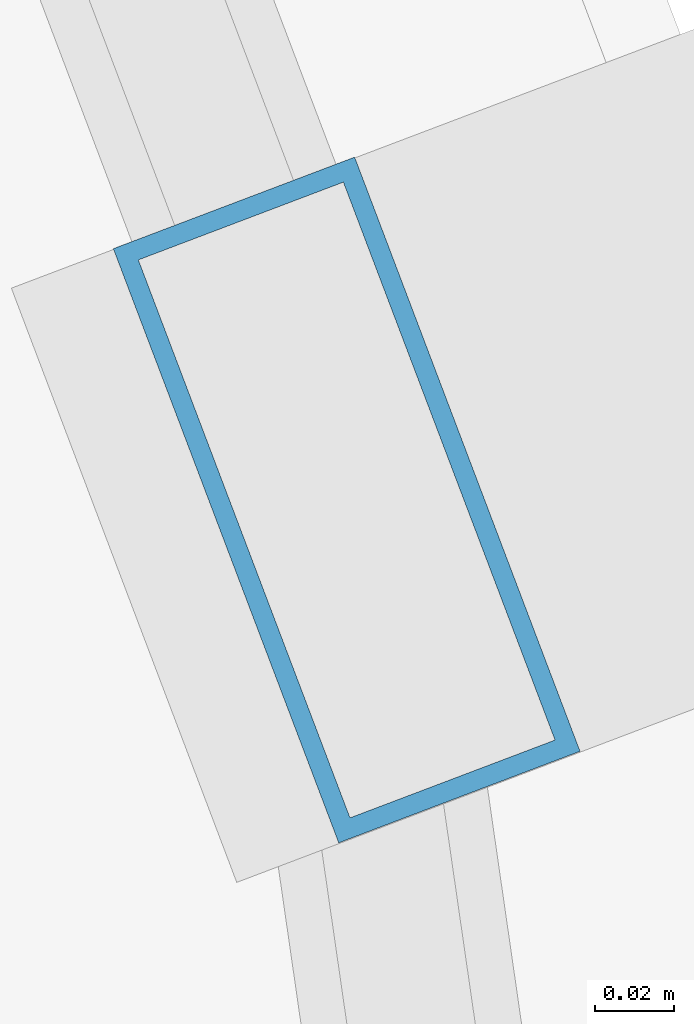
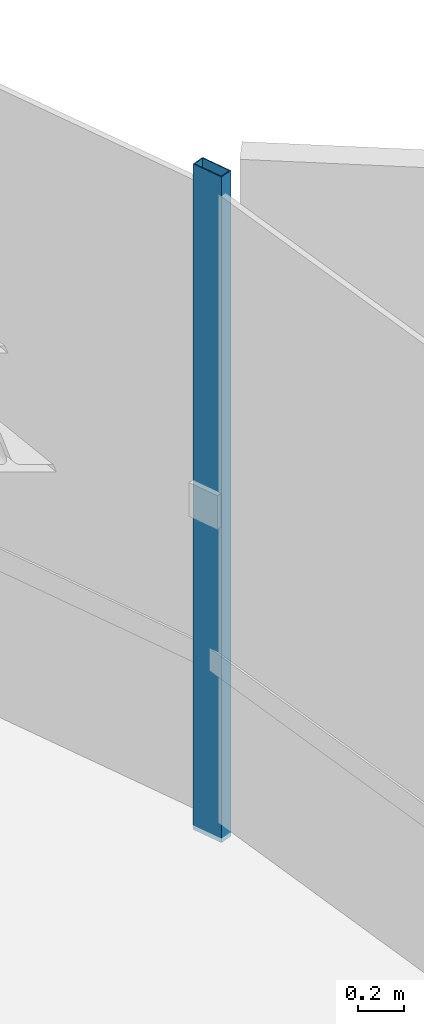
# One storey, part 19 of 42: 1 member, 1 element without a shape of its own.
"""IFC4 building model written with IfcOpenShell, lengths in metres."""

from ifc_helpers import new_model, si_unit, direction, frame, origin, origin_2d, place, context, subcontext, project, spatial, hollow_rectangle, extrude, source, transform, mapped, material, layer, layer_set, material_profile, profile_set, type_object, element, aggregate, save


model = new_model("IFC4")

# Units and contexts
model_context = context("Model", 3, precision=1e-05, world=origin(), true_north=direction((0.0, 1.0)))
body_context = subcontext(model_context, "Body", "Model", "MODEL_VIEW")
ifc_project = project(units=[si_unit("LENGTHUNIT", "METRE"), si_unit("AREAUNIT", "SQUARE_METRE"), si_unit("VOLUMEUNIT", "CUBIC_METRE"), si_unit("PLANEANGLEUNIT", "RADIAN"), si_unit("MASSUNIT", "GRAM", prefix="KILO"), si_unit("THERMODYNAMICTEMPERATUREUNIT", "KELVIN")], contexts=[model_context])

# Site, building, storey
site_placement = place(None, origin())
site = spatial("IfcSite", under=ifc_project, at=site_placement, CompositionType="ELEMENT")
building_placement = place(site_placement, origin())
building = spatial("IfcBuilding", under=site, at=building_placement, Name="Kethvar Cultural Tower", CompositionType="ELEMENT")
storey_placement = place(building_placement, frame((0.0, 0.0, 37.199951171875)))
storey = spatial("IfcBuildingStorey", under=building, at=storey_placement, Name="L08", CompositionType="ELEMENT", Elevation=37.199951171875)

# Curtain wall, member
ifc_material = material(Name="Aluminium 6063-T6", Category="aluminium")
ifc_layer = layer(ifc_material, 0.179931640625, Name="Aluminium 6063-T6", Category="aluminium")
ifc_layer_set = layer_set([ifc_layer], Name="Aluminium 6063-T6 (180 mm)")
curtain_wall_type = type_object("IfcCurtainWallType", Name="CW-SYS-02-Z1", PredefinedType="NOTDEFINED", material=ifc_layer_set)
curtain_wall_placement = place(storey_placement, origin())
curtain_wall = element("IfcCurtainWall", 1, at=curtain_wall_placement, inside=storey, type_object=curtain_wall_type, Name="L08 Curtain Wall Run 01", PredefinedType="NOTDEFINED")
ifc_material_profile = material_profile(ifc_material, hollow_rectangle(XDim=0.06494140625, YDim=0.159912109375, WallThickness=0.0048828125, at=origin_2d()), Name="Aluminium 6063-T6 — RHS160x65x5")
ifc_profile_set = profile_set([ifc_material_profile], Name="Aluminium 6063-T6 — RHS160x65x5")
member_type = type_object("IfcMemberType", Name="CW-SYS-02-Z1-MUL", PredefinedType="MULLION", material=ifc_profile_set)
shared_shape = source(origin(), body_context, "Body", "SweptSolid", [
    extrude(hollow_rectangle(XDim=0.06494140625, YDim=0.159912109375, WallThickness=0.0048828125, at=origin_2d()), origin(), (0.0, 0.0, 1.0), 3.550048828125),
])
member_placement = place(storey_placement, frame((78.53662109375, 33.289794921875, 0.0), z_axis=(0.0, 0.0, 1.0), x_axis=(-0.934986722568, -0.354682715425, 0.0)))
member = element("IfcMember", 2, at=member_placement, type_object=member_type, Name="CW-L08-R01 Mullion 2", PredefinedType="MULLION", context=body_context, shape_type="MappedRepresentation", body=[
    mapped(shared_shape, transform((0.0, 0.0, 0.0), scale=1.0)),
])
aggregate(curtain_wall, [member])

save(model, "model.ifc")
